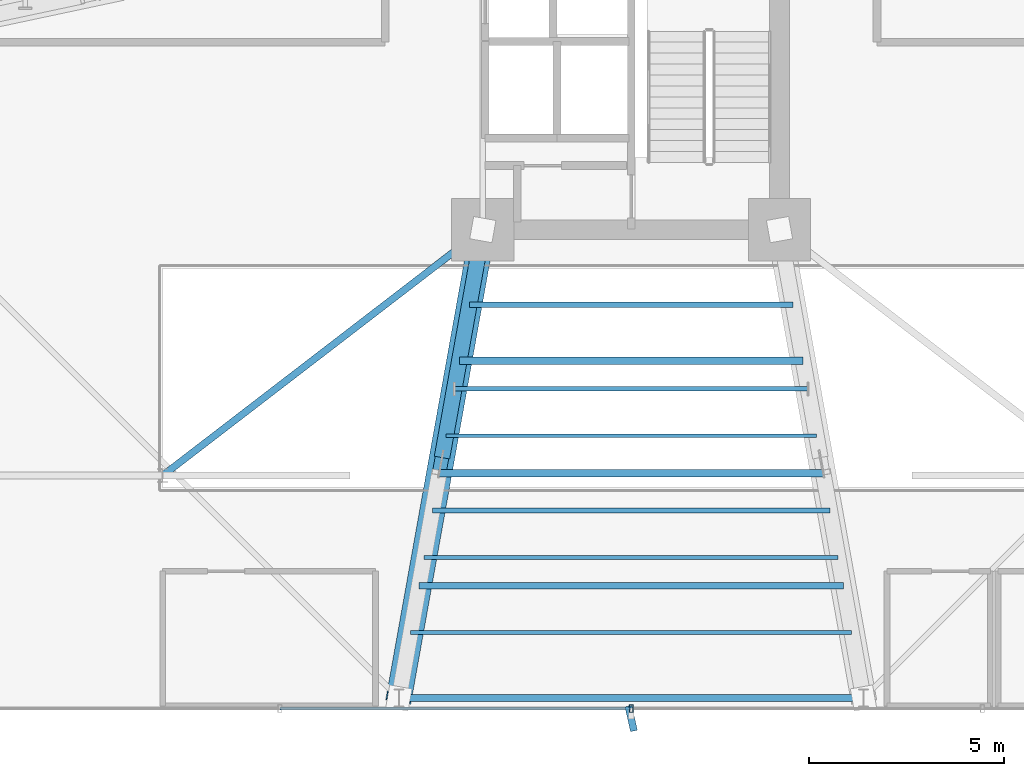
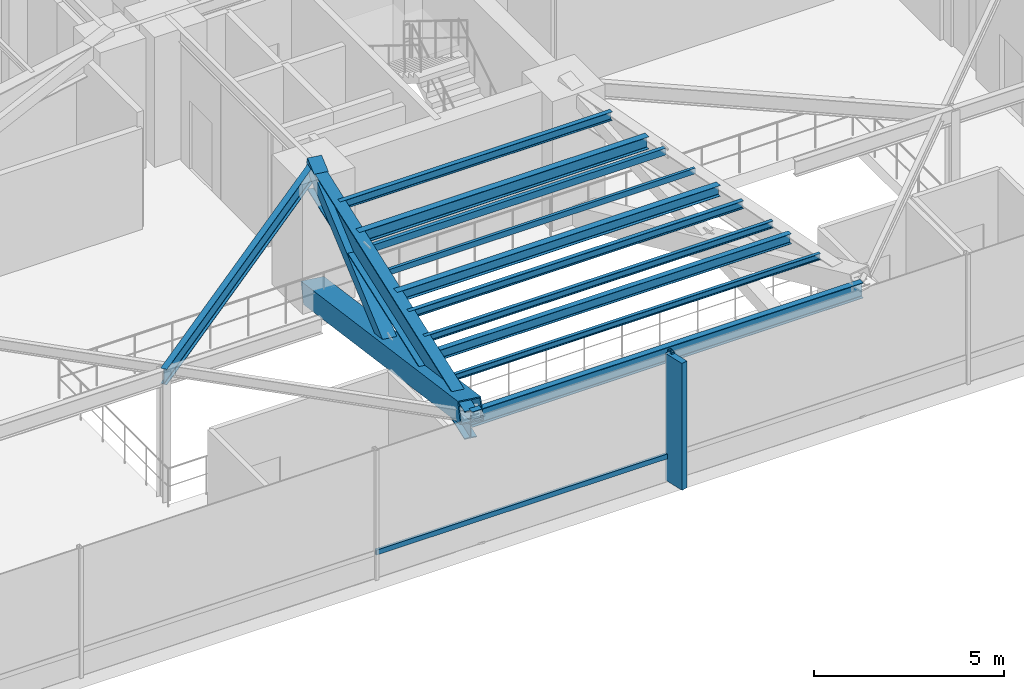
# One storey, part 7 of 32: 12 beams, 5 members, 1 element without a shape of its own.
"""IFC4 building model written with IfcOpenShell, lengths in metres."""

from ifc_helpers import new_model, si_unit, direction, frame, origin, origin_2d, place, context, subcontext, project, spatial, rectangle, hollow_rectangle, i_section, extrude, source, transform, mapped, material, material_profile, profile_set, type_object, element, aggregate, save


model = new_model("IFC4")

# Units and contexts
model_context = context("Model", 3, precision=1e-05, world=origin(), true_north=direction((0.0, 1.0)))
body_context = subcontext(model_context, "Body", "Model", "MODEL_VIEW")
ifc_project = project(units=[si_unit("LENGTHUNIT", "METRE"), si_unit("AREAUNIT", "SQUARE_METRE"), si_unit("VOLUMEUNIT", "CUBIC_METRE"), si_unit("PLANEANGLEUNIT", "RADIAN"), si_unit("MASSUNIT", "GRAM", prefix="KILO")], contexts=[model_context])

# Site, building, storey
site_placement = place(None, origin())
site = spatial("IfcSite", under=ifc_project, at=site_placement, CompositionType="ELEMENT")
building_placement = place(site_placement, origin())
building = spatial("IfcBuilding", under=site, at=building_placement, Name="Sahyath Konkavel Grand Hotel", CompositionType="ELEMENT")
storey_placement = place(building_placement, frame((0.0, 0.0, 14.10009765625)))
storey = spatial("IfcBuildingStorey", under=building, at=storey_placement, Name="L03", CompositionType="ELEMENT", Elevation=14.10009765625)

# Beams
ifc_material_1 = material(Name="Steel E350", Category="steel")
ifc_material_profile_1 = material_profile(ifc_material_1, i_section(OverallWidth=0.179931640625, OverallDepth=0.5, WebThickness=0.01025390625, FlangeThickness=0.01708984375, FilletRadius=0.01708984375, at=origin_2d()), Name="ISMB 500")
ifc_profile_set_1 = profile_set([ifc_material_profile_1], Name="Steel E350")
beam_type_1 = type_object("IfcBeamType", Name="BM-ISMB500", PredefinedType="BEAM", material=ifc_profile_set_1)
shared_shape_1 = source(origin(), body_context, "Body", "SweptSolid", [
    extrude(i_section(OverallWidth=0.179931640625, OverallDepth=0.5, WebThickness=0.01025390625, FlangeThickness=0.01708984375, FilletRadius=0.01708984375, at=origin_2d()), origin(), (0.0, 0.0, 1.0), 10.340576171875),
])
beam_1_placement = place(storey_placement, frame((-12.0, -16.5, 3.929931640625), z_axis=(0.792979316573, 0.60924855641, 0.0), x_axis=(-0.60924855641, 0.792979316573, 0.0)))
element("IfcBeam", 1, at=beam_1_placement, inside=storey, type_object=beam_type_1, Name="str:bm:L03:POD34-14", PredefinedType="BEAM", context=body_context, shape_type="MappedRepresentation", body=[
    mapped(shared_shape_1, transform((0.0, 0.0, 0.0), scale=1.0)),
])
ifc_material_2 = material(Name="Steel E450", Category="steel")
ifc_material_profile_2 = material_profile(ifc_material_2, i_section(OverallWidth=0.35009765625, OverallDepth=0.89990234375, WebThickness=0.01806640625, FlangeThickness=0.031982421875, at=origin_2d()), Name="BPG 900x350")
ifc_profile_set_2 = profile_set([ifc_material_profile_2], Name="Steel E450")
beam_type_2 = type_object("IfcBeamType", Name="BM-BPG900", PredefinedType="BEAM", material=ifc_profile_set_2)
shared_shape_2 = source(origin(), body_context, "Body", "SweptSolid", [
    extrude(i_section(OverallWidth=0.35009765625, OverallDepth=0.89990234375, WebThickness=0.01806640625, FlangeThickness=0.031982421875, at=origin_2d()), origin(), (0.0, 0.0, 1.0), 12.191162109375),
])
beam_2_placement = place(storey_placement, frame((-3.800048828125, -10.199951171875, 3.72998046875), z_axis=(-0.176350650305, -0.984327409014, 0.0), x_axis=(0.984327409014, -0.176350650305, 0.0)))
element("IfcBeam", 2, at=beam_2_placement, inside=storey, type_object=beam_type_2, Name="L03 Cruciform Radial Girder SA", PredefinedType="BEAM", context=body_context, shape_type="MappedRepresentation", body=[
    mapped(shared_shape_2, transform((0.0, 0.0, 0.0), scale=1.0)),
])
shared_shape_3 = source(origin(), body_context, "Body", "SweptSolid", [
    extrude(i_section(OverallWidth=0.179931640625, OverallDepth=0.5, WebThickness=0.01025390625, FlangeThickness=0.01708984375, FilletRadius=0.01708984375, at=origin_2d()), origin(), (0.0, 0.0, 1.0), 11.89990234375),
])
beam_3_placement = place(storey_placement, frame((-5.949951171875, -22.199951171875, 3.929931640625), z_axis=(1.0, 0.0, 0.0), x_axis=(0.0, 1.0, 0.0)))
element("IfcBeam", 3, at=beam_3_placement, inside=storey, type_object=beam_type_1, Name="L03 Wing Tip Edge Beam S", PredefinedType="BEAM", context=body_context, shape_type="MappedRepresentation", body=[
    mapped(shared_shape_3, transform((0.0, 0.0, 0.0), scale=1.0)),
])
ifc_material_profile_3 = material_profile(ifc_material_1, i_section(OverallWidth=0.199951171875, OverallDepth=0.39990234375, WebThickness=0.008544921875, FlangeThickness=0.012939453125, FilletRadius=0.014892578125, at=origin_2d()), Name="ISWB 400")
ifc_profile_set_3 = profile_set([ifc_material_profile_3], Name="Steel E350")
beam_type_3 = type_object("IfcBeamType", Name="BM-ISWB400", PredefinedType="BEAM", material=ifc_profile_set_3)
shared_shape_4 = source(origin(), body_context, "Body", "SweptSolid", [
    extrude(i_section(OverallWidth=0.199951171875, OverallDepth=0.39990234375, WebThickness=0.008544921875, FlangeThickness=0.012939453125, FilletRadius=0.014892578125, at=origin_2d()), origin(), (0.0, 0.0, 1.0), 8.80419921875),
])
beam_4_placement = place(storey_placement, frame((-4.402099609375, -13.56005859375, 3.97998046875), z_axis=(1.0, 0.0, 0.0), x_axis=(0.0, 1.0, 0.0)))
element("IfcBeam", 4, at=beam_4_placement, inside=storey, type_object=beam_type_3, Name="L03 Secondary Floor Beam S-1", PredefinedType="BEAM", context=body_context, shape_type="MappedRepresentation", body=[
    mapped(shared_shape_4, transform((0.0, 0.0, 0.0), scale=1.0)),
])
ifc_material_profile_4 = material_profile(ifc_material_1, i_section(OverallWidth=0.199951171875, OverallDepth=0.35009765625, WebThickness=0.008056640625, FlangeThickness=0.011474609375, FilletRadius=0.013916015625, at=origin_2d()), Name="ISWB 350")
ifc_profile_set_4 = profile_set([ifc_material_profile_4], Name="Steel E350")
beam_type_4 = type_object("IfcBeamType", Name="BM-ISWB350", PredefinedType="BEAM", material=ifc_profile_set_4)
shared_shape_5 = source(origin(), body_context, "Body", "SweptSolid", [
    extrude(i_section(OverallWidth=0.199951171875, OverallDepth=0.35009765625, WebThickness=0.008056640625, FlangeThickness=0.011474609375, FilletRadius=0.013916015625, at=origin_2d()), origin(), (0.0, 0.0, 1.0), 9.8359375),
])
beam_5_placement = place(storey_placement, frame((-4.91796875, -16.43994140625, 4.0048828125), z_axis=(1.0, 0.0, 0.0), x_axis=(0.0, 1.0, 0.0)))
element("IfcBeam", 5, at=beam_5_placement, inside=storey, type_object=beam_type_4, Name="L03 Secondary Floor Beam S-2", PredefinedType="BEAM", context=body_context, shape_type="MappedRepresentation", body=[
    mapped(shared_shape_5, transform((0.0, 0.0, 0.0), scale=1.0)),
])
ifc_material_profile_5 = material_profile(ifc_material_1, i_section(OverallWidth=0.1650390625, OverallDepth=0.324951171875, WebThickness=0.007080078125, FlangeThickness=0.009765625, FilletRadius=0.014892578125, at=origin_2d()), Name="ISLB 325")
ifc_profile_set_5 = profile_set([ifc_material_profile_5], Name="Steel E350")
beam_type_5 = type_object("IfcBeamType", Name="BM-ISLB325", PredefinedType="BEAM", material=ifc_profile_set_5)
shared_shape_6 = source(origin(), body_context, "Body", "SweptSolid", [
    extrude(i_section(OverallWidth=0.1650390625, OverallDepth=0.324951171875, WebThickness=0.007080078125, FlangeThickness=0.009765625, FilletRadius=0.014892578125, at=origin_2d()), origin(), (0.0, 0.0, 1.0), 10.8681640625),
])
beam_6_placement = place(storey_placement, frame((-5.43408203125, -19.320068359375, 4.017333984375), z_axis=(1.0, 0.0, 0.0), x_axis=(0.0, 1.0, 0.0)))
element("IfcBeam", 6, at=beam_6_placement, inside=storey, type_object=beam_type_5, Name="L03 Secondary Floor Beam S-3", PredefinedType="BEAM", context=body_context, shape_type="MappedRepresentation", body=[
    mapped(shared_shape_6, transform((0.0, 0.0, 0.0), scale=1.0)),
])

# Members
ifc_material_profile_6 = material_profile(ifc_material_2, hollow_rectangle(XDim=0.64990234375, YDim=0.64990234375, WallThickness=0.031982421875, at=origin_2d()), Name="BOX 650x650x32")
ifc_profile_set_6 = profile_set([ifc_material_profile_6], Name="Steel E450")
member_type_1 = type_object("IfcMemberType", Name="BR-BOX650", PredefinedType="BRACE", material=ifc_profile_set_6)
shared_shape_7 = source(origin(), body_context, "Body", "SweptSolid", [
    extrude(hollow_rectangle(XDim=0.64990234375, YDim=0.64990234375, WallThickness=0.031982421875, at=origin_2d()), origin(), (0.0, 0.0, 1.0), 12.88134765625),
])
member_1_placement = place(storey_placement, frame((-3.800048828125, -10.199951171875, 0.010009765625), z_axis=(-0.166901511413, -0.931585633543, 0.322942863158), x_axis=(0.984327409014, -0.176350650305, 0.0)))
element("IfcMember", 7, at=member_1_placement, inside=storey, type_object=member_type_1, Name="L03 Ballroom Steel Transfer Truss SA Continuous Diagonal 1", PredefinedType="BRACE", context=body_context, shape_type="MappedRepresentation", body=[
    mapped(shared_shape_7, transform((0.0, 0.0, 0.0), scale=1.0)),
])
ifc_material_profile_7 = material_profile(ifc_material_2, hollow_rectangle(XDim=0.39990234375, YDim=0.39990234375, WallThickness=0.02001953125, at=origin_2d()), Name="SHS 400x400x20")
ifc_profile_set_7 = profile_set([ifc_material_profile_7], Name="Steel E450")
member_type_2 = type_object("IfcMemberType", Name="BR-SHS400", PredefinedType="BRACE", material=ifc_profile_set_7)
shared_shape_8 = source(origin(), body_context, "Body", "SweptSolid", [
    extrude(hollow_rectangle(XDim=0.39990234375, YDim=0.39990234375, WallThickness=0.02001953125, at=origin_2d()), origin(), (0.0, 0.0, 1.0), 6.20068359375),
])
member_2_placement = place(storey_placement, frame((-4.8349609375, -15.976318359375, 2.16748046875), z_axis=(0.16690560693, 0.931584491619, 0.322944040586), x_axis=(-0.984326620303, 0.176355052556, 0.0)))
element("IfcMember", 8, at=member_2_placement, inside=storey, type_object=member_type_2, Name="L03 Ballroom Steel Transfer Truss SA Split Upper Diagonal 2B", PredefinedType="BRACE", context=body_context, shape_type="MappedRepresentation", body=[
    mapped(shared_shape_8, transform((0.0, 0.0, 0.0), scale=1.0)),
])

# Beams
ifc_material_profile_8 = material_profile(ifc_material_1, i_section(OverallWidth=0.139892578125, OverallDepth=0.27490234375, WebThickness=0.00634765625, FlangeThickness=0.0087890625, FilletRadius=0.012939453125, at=origin_2d()), Name="ISLB 275")
ifc_profile_set_8 = profile_set([ifc_material_profile_8], Name="Steel E350")
beam_type_6 = type_object("IfcBeamType", Name="BM-ISLB275", PredefinedType="BEAM", material=ifc_profile_set_8)
shared_shape_9 = source(origin(), body_context, "Body", "SweptSolid", [
    extrude(i_section(OverallWidth=0.139892578125, OverallDepth=0.27490234375, WebThickness=0.00634765625, FlangeThickness=0.0087890625, FilletRadius=0.012939453125, at=origin_2d()), origin(), (0.0, 0.0, 1.0), 8.2880859375),
])
beam_7_placement = place(storey_placement, frame((-4.14404296875, -12.1201171875, 4.04248046875), z_axis=(1.0, 0.0, 0.0), x_axis=(0.0, 1.0, 0.0)))
element("IfcBeam", 9, at=beam_7_placement, inside=storey, type_object=beam_type_6, Name="L03 Composite Deck Sub-Beam S-1", PredefinedType="BEAM", context=body_context, shape_type="MappedRepresentation", body=[
    mapped(shared_shape_9, transform((0.0, 0.0, 0.0), scale=1.0)),
])
ifc_material_profile_9 = material_profile(ifc_material_1, hollow_rectangle(XDim=0.1201171875, YDim=0.219970703125, WallThickness=0.010009765625, at=origin_2d()), Name="RHS 220x120x10")
ifc_profile_set_9 = profile_set([ifc_material_profile_9], Name="Steel E350")
beam_type_7 = type_object("IfcBeamType", Name="BM-RHS220", PredefinedType="BEAM", material=ifc_profile_set_9)
shared_shape_10 = source(origin(), body_context, "Body", "SweptSolid", [
    extrude(hollow_rectangle(XDim=0.1201171875, YDim=0.219970703125, WallThickness=0.010009765625, at=origin_2d()), origin(), (0.0, 0.0, 1.0), 9.06201171875),
])
beam_8_placement = place(storey_placement, frame((-4.531005859375, -14.280029296875, 4.06982421875), z_axis=(1.0, 0.0, 0.0), x_axis=(0.0, 1.0, 0.0)))
element("IfcBeam", 10, at=beam_8_placement, inside=storey, type_object=beam_type_7, Name="L03 Composite Deck Sub-Beam S-2", PredefinedType="BEAM", context=body_context, shape_type="MappedRepresentation", body=[
    mapped(shared_shape_10, transform((0.0, 0.0, 0.0), scale=1.0)),
])
ifc_material_profile_10 = material_profile(ifc_material_1, hollow_rectangle(XDim=0.090087890625, YDim=0.179931640625, WallThickness=0.008056640625, at=origin_2d()), Name="RHS 180x90x8")
ifc_profile_set_10 = profile_set([ifc_material_profile_10], Name="Steel E350")
beam_type_8 = type_object("IfcBeamType", Name="BM-RHS180", PredefinedType="BEAM", material=ifc_profile_set_10)
shared_shape_11 = source(origin(), body_context, "Body", "SweptSolid", [
    extrude(hollow_rectangle(XDim=0.090087890625, YDim=0.179931640625, WallThickness=0.008056640625, at=origin_2d()), origin(), (0.0, 0.0, 1.0), 9.4921875),
])
beam_9_placement = place(storey_placement, frame((-4.74609375, -15.47998046875, 4.08984375), z_axis=(1.0, 0.0, 0.0), x_axis=(0.0, 1.0, 0.0)))
element("IfcBeam", 11, at=beam_9_placement, inside=storey, type_object=beam_type_8, Name="L03 Composite Deck Sub-Beam S-3", PredefinedType="BEAM", context=body_context, shape_type="MappedRepresentation", body=[
    mapped(shared_shape_11, transform((0.0, 0.0, 0.0), scale=1.0)),
])
ifc_material_profile_11 = material_profile(ifc_material_1, i_section(OverallWidth=0.125, OverallDepth=0.25, WebThickness=0.0068359375, FlangeThickness=0.012451171875, FilletRadius=0.012939453125, at=origin_2d()), Name="ISMB 250")
ifc_profile_set_11 = profile_set([ifc_material_profile_11], Name="Steel E350")
beam_type_9 = type_object("IfcBeamType", Name="BM-ISMB250", PredefinedType="BEAM", material=ifc_profile_set_11)
shared_shape_12 = source(origin(), body_context, "Body", "SweptSolid", [
    extrude(i_section(OverallWidth=0.125, OverallDepth=0.25, WebThickness=0.0068359375, FlangeThickness=0.012451171875, FilletRadius=0.012939453125, at=origin_2d()), origin(), (0.0, 0.0, 1.0), 10.18017578125),
])
beam_10_placement = place(storey_placement, frame((-5.090087890625, -17.39990234375, 4.054931640625), z_axis=(1.0, 0.0, 0.0), x_axis=(0.0, 1.0, 0.0)))
element("IfcBeam", 12, at=beam_10_placement, inside=storey, type_object=beam_type_9, Name="L03 Composite Deck Sub-Beam S-4", PredefinedType="BEAM", context=body_context, shape_type="MappedRepresentation", body=[
    mapped(shared_shape_12, transform((0.0, 0.0, 0.0), scale=1.0)),
])
ifc_material_profile_12 = material_profile(ifc_material_1, i_section(OverallWidth=0.110107421875, OverallDepth=0.22509765625, WebThickness=0.006591796875, FlangeThickness=0.01171875, FilletRadius=0.011962890625, at=origin_2d()), Name="ISMB 225")
ifc_profile_set_12 = profile_set([ifc_material_profile_12], Name="Steel E350")
beam_type_10 = type_object("IfcBeamType", Name="BM-ISMB225", PredefinedType="BEAM", material=ifc_profile_set_12)
shared_shape_13 = source(origin(), body_context, "Body", "SweptSolid", [
    extrude(i_section(OverallWidth=0.110107421875, OverallDepth=0.22509765625, WebThickness=0.006591796875, FlangeThickness=0.01171875, FilletRadius=0.011962890625, at=origin_2d()), origin(), (0.0, 0.0, 1.0), 10.60986328125),
])
beam_11_placement = place(storey_placement, frame((-5.304931640625, -18.60009765625, 4.0673828125), z_axis=(1.0, 0.0, 0.0), x_axis=(0.0, 1.0, 0.0)))
element("IfcBeam", 13, at=beam_11_placement, inside=storey, type_object=beam_type_10, Name="L03 Composite Deck Sub-Beam S-5", PredefinedType="BEAM", context=body_context, shape_type="MappedRepresentation", body=[
    mapped(shared_shape_13, transform((0.0, 0.0, 0.0), scale=1.0)),
])
ifc_material_profile_13 = material_profile(ifc_material_1, i_section(OverallWidth=0.10009765625, OverallDepth=0.199951171875, WebThickness=0.005615234375, FlangeThickness=0.0107421875, FilletRadius=0.010986328125, at=origin_2d()), Name="ISMB 200")
ifc_profile_set_13 = profile_set([ifc_material_profile_13], Name="Steel E350")
beam_type_11 = type_object("IfcBeamType", Name="BM-ISMB200", PredefinedType="BEAM", material=ifc_profile_set_13)
shared_shape_14 = source(origin(), body_context, "Body", "SweptSolid", [
    extrude(i_section(OverallWidth=0.10009765625, OverallDepth=0.199951171875, WebThickness=0.005615234375, FlangeThickness=0.0107421875, FilletRadius=0.010986328125, at=origin_2d()), origin(), (0.0, 0.0, 1.0), 11.2978515625),
])
beam_12_placement = place(storey_placement, frame((-5.64892578125, -20.52001953125, 4.079833984375), z_axis=(1.0, 0.0, 0.0), x_axis=(0.0, 1.0, 0.0)))
element("IfcBeam", 14, at=beam_12_placement, inside=storey, type_object=beam_type_11, Name="L03 Composite Deck Sub-Beam S-6", PredefinedType="BEAM", context=body_context, shape_type="MappedRepresentation", body=[
    mapped(shared_shape_14, transform((0.0, 0.0, 0.0), scale=1.0)),
])

# Curtain wall, members
ifc_material_3 = material(Name="Anodised Bronze Aluminium & Low-E Glazing", Category="aluminium")
curtain_wall_type = type_object("IfcCurtainWallType", Name="CW-PODIUM", PredefinedType="NOTDEFINED", material=ifc_material_3)
curtain_wall_placement = place(storey_placement, origin())
curtain_wall = element("IfcCurtainWall", 15, at=curtain_wall_placement, inside=storey, type_object=curtain_wall_type, Name="L03 Unitised Curtain Wall S", PredefinedType="NOTDEFINED")
ifc_material_4 = material(Name="Anodised Bronze Aluminium", Category="aluminium")
ifc_material_profile_14 = material_profile(ifc_material_4, hollow_rectangle(XDim=0.10009765625, YDim=0.199951171875, WallThickness=0.008056640625, at=origin_2d()), Name="RHS 200x100x8")
ifc_profile_set_14 = profile_set([ifc_material_profile_14], Name="Anodised Bronze Aluminium")
member_type_3 = type_object("IfcMemberType", Name="CW-MUL-200", PredefinedType="MULLION", material=ifc_profile_set_14)
shared_shape_15 = source(origin(), body_context, "Body", "SweptSolid", [
    extrude(hollow_rectangle(XDim=0.10009765625, YDim=0.199951171875, WallThickness=0.008056640625, at=origin_2d()), origin(), (0.0, 0.0, 1.0), 4.179931640625),
])
member_3_placement = place(storey_placement, frame((0.0, -22.465087890625, 0.0), z_axis=(0.0, 0.0, 1.0), x_axis=(1.0, 0.0, 0.0)))
member_3 = element("IfcMember", 16, at=member_3_placement, type_object=member_type_3, Name="L03 Curtain Wall Mullion S-3", PredefinedType="MULLION", context=body_context, shape_type="MappedRepresentation", body=[
    mapped(shared_shape_15, transform((0.0, 0.0, 0.0), scale=1.0)),
])
ifc_material_5 = material(Name="Warm Buff Sandstone Cladding on Concrete C50/60", Category="masonry")
ifc_material_profile_15 = material_profile(ifc_material_5, rectangle(XDim=0.179931640625, YDim=0.64990234375, at=origin_2d()), Name="FIN 180x650")
ifc_profile_set_15 = profile_set([ifc_material_profile_15], Name="Warm Buff Sandstone Cladding on Concrete C50/60")
member_type_4 = type_object("IfcMemberType", Name="FIN-SANDSTONE-650", PredefinedType="MULLION", material=ifc_profile_set_15)
shared_shape_16 = source(origin(), body_context, "Body", "SweptSolid", [
    extrude(rectangle(XDim=0.179931640625, YDim=0.64990234375, at=origin_2d()), origin(), (0.0, 0.0, 1.0), 4.080078125),
])
member_4_placement = place(storey_placement, frame((0.0, -22.72509765625, 0.0498046875), z_axis=(0.0, 0.0, 1.0), x_axis=(0.975419299024, 0.220356962886, 0.0)))
member_4 = element("IfcMember", 17, at=member_4_placement, type_object=member_type_4, Name="L03 Sandstone Vertical Solar Fin FIN S-3", PredefinedType="MULLION", context=body_context, shape_type="MappedRepresentation", body=[
    mapped(shared_shape_16, transform((0.0, 0.0, 0.0), scale=1.0)),
])
ifc_material_profile_16 = material_profile(ifc_material_4, hollow_rectangle(XDim=0.080078125, YDim=0.159912109375, WallThickness=0.006103515625, at=origin_2d()), Name="RHS 160x80x6")
ifc_profile_set_16 = profile_set([ifc_material_profile_16], Name="Anodised Bronze Aluminium")
member_type_5 = type_object("IfcMemberType", Name="CW-TRN-160", PredefinedType="USERDEFINED", material=ifc_profile_set_16)
shared_shape_17 = source(origin(), body_context, "Body", "SweptSolid", [
    extrude(hollow_rectangle(XDim=0.080078125, YDim=0.159912109375, WallThickness=0.006103515625, at=origin_2d()), origin(), (0.0, 0.0, 1.0), 8.998779296875),
])
member_5_placement = place(storey_placement, frame((-8.998779296875, -22.465087890625, 0.849853515625), z_axis=(1.0, 0.0, 0.0), x_axis=(0.0, 1.0, 0.0)))
member_5 = element("IfcMember", 18, at=member_5_placement, type_object=member_type_5, Name="L03 Curtain Wall Transom S-2-spandrel", ObjectType="TRANSOM", PredefinedType="USERDEFINED", context=body_context, shape_type="MappedRepresentation", body=[
    mapped(shared_shape_17, transform((0.0, 0.0, 0.0), scale=1.0)),
])
aggregate(curtain_wall, [member_3, member_4, member_5])

save(model, "model.ifc")
